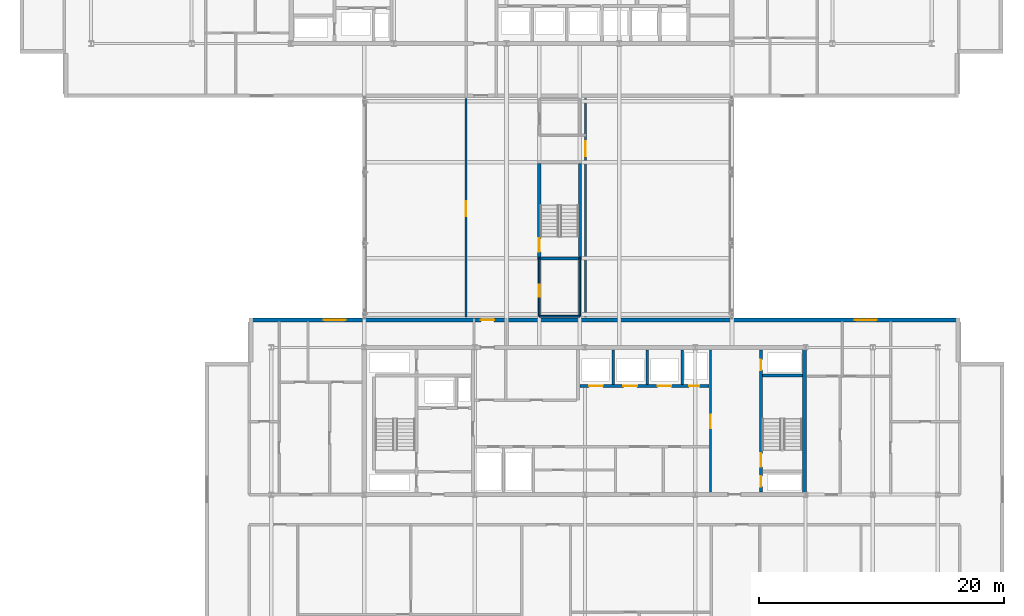
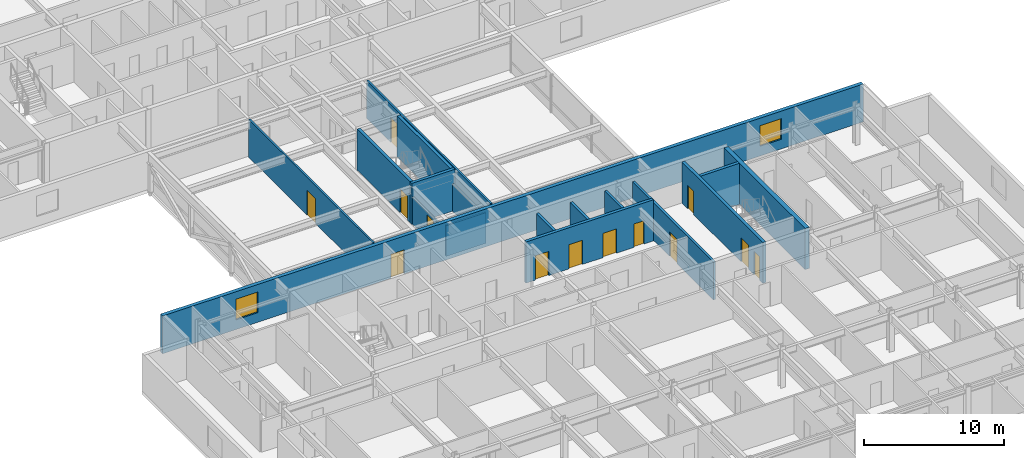
# One storey, part 21 of 36: 17 walls, 13 doors, 2 windows, 15 openings.
"""IFC4 building model written with IfcOpenShell, lengths in metres."""

from ifc_helpers import new_model, si_unit, direction, frame, frame_2d, origin, place, context, subcontext, project, spatial, rectangle, extrude, material, layer, layer_set, type_object, element, fill, save


model = new_model("IFC4")

# Units and contexts
model_context = context("Model", 3, precision=1e-05, world=origin(), true_north=direction((0.0, 1.0)))
body_context = subcontext(model_context, "Body", "Model", "MODEL_VIEW")
ifc_project = project(units=[si_unit("LENGTHUNIT", "METRE"), si_unit("AREAUNIT", "SQUARE_METRE"), si_unit("VOLUMEUNIT", "CUBIC_METRE"), si_unit("PLANEANGLEUNIT", "RADIAN"), si_unit("MASSUNIT", "GRAM", prefix="KILO")], contexts=[model_context])

# Site, building, storey
site_placement = place(None, origin())
site = spatial("IfcSite", under=ifc_project, at=site_placement, CompositionType="ELEMENT")
building_placement = place(site_placement, origin())
building = spatial("IfcBuilding", under=site, at=building_placement, Name="Korimba Cascade Residences", CompositionType="ELEMENT")
storey_placement = place(building_placement, frame((0.0, 0.0, 139.300048828125)))
storey = spatial("IfcBuildingStorey", under=building, at=storey_placement, Name="L40", CompositionType="ELEMENT", Elevation=139.300048828125)

# Wall, openings, door, windows
ifc_material_1 = material(Name="Precast concrete C40/50", Category="concrete")
ifc_layer_1 = layer(ifc_material_1, 0.300048828125)
ifc_layer_set_1 = layer_set([ifc_layer_1], Name="Precast concrete C40/50")
wall_type_1 = type_object("IfcWallType", Name="EW-STONE-300", PredefinedType="STANDARD", material=ifc_layer_set_1)
wall_1_placement = place(storey_placement, frame((130.699951171875, 32.64990234375, 0.0), z_axis=(0.0, 0.0, 1.0), x_axis=(-1.0, 0.0, 0.0)))
wall_1 = element("IfcWall", 1, at=wall_1_placement, inside=storey, type_object=wall_type_1, Name="L40 T2 Perimeter Stone Wall E06", PredefinedType="STANDARD", context=body_context, shape_type="SweptSolid", body=[
    extrude(rectangle(XDim=58.0, YDim=0.300048828125, at=frame_2d((29.0, 0.0))), origin(), (0.0, 0.0, 1.0), 3.31005859375),
])
opening_1_placement = place(wall_1_placement, frame((50.125, 0.0, 0.85009765625)))
opening_1 = element("IfcOpeningElement", 2, at=opening_1_placement, cuts=wall_1, Name="Opening W-02", PredefinedType="OPENING", context=body_context, shape_type="SweptSolid", body=[
    extrude(rectangle(XDim=1.800048828125, YDim=1.800048828125, at=frame_2d((0.89990234375, 0.89990234375))), frame((0.0, 0.16015625, 0.0), z_axis=(0.0, -1.0, 0.0), x_axis=(1.0, 0.0, 0.0)), (0.0, 0.0, 1.0), 0.320068359375),
])
opening_2_placement = place(wall_1_placement, frame((6.77490234375, 0.0, 0.85009765625)))
opening_2 = element("IfcOpeningElement", 3, at=opening_2_placement, cuts=wall_1, Name="Opening W-02", PredefinedType="OPENING", context=body_context, shape_type="SweptSolid", body=[
    extrude(rectangle(XDim=1.800048828125, YDim=1.800048828125, at=frame_2d((0.89990234375, 0.89990234375))), frame((0.0, 0.16015625, 0.0), z_axis=(0.0, -1.0, 0.0), x_axis=(1.0, 0.0, 0.0)), (0.0, 0.0, 1.0), 0.320068359375),
])
opening_3_placement = place(wall_1_placement, frame((38.0, 0.0, 0.0)))
opening_3 = element("IfcOpeningElement", 4, at=opening_3_placement, cuts=wall_1, Name="Opening D-BF1", PredefinedType="OPENING", context=body_context, shape_type="SweptSolid", body=[
    extrude(rectangle(XDim=1.10009765625, YDim=2.10009765625, at=frame_2d((0.550048828125, 1.050048828125))), frame((0.0, 0.16015625, 0.0), z_axis=(0.0, -1.0, 0.0), x_axis=(1.0, 0.0, 0.0)), (0.0, 0.0, 1.0), 0.320068359375),
])
ifc_material_2 = material(Name="Fire-Rated Steel Skybridge Link Door", Category="steel")
door_type_1 = type_object("IfcDoorType", Name="DR-BRG-FD120", OperationType="NOTDEFINED", PredefinedType="DOOR", material=ifc_material_2)
door_1_placement = place(opening_3_placement, origin())
door_1 = element("IfcDoor", 5, at=door_1_placement, inside=storey, type_object=door_type_1, Name="L40 Skybridge to Tower 2 Fire Door", OperationType="SINGLE_SWING_RIGHT", OverallHeight=2.10009765625, OverallWidth=1.10009765625, PredefinedType="DOOR", context=body_context, shape_type="SweptSolid", body=[
    extrude(rectangle(XDim=1.10009765625, YDim=2.10009765625, at=frame_2d((0.550048828125, 1.050048828125))), frame((0.0, 0.02490234375, 0.0), z_axis=(0.0, -1.0, 0.0), x_axis=(1.0, 0.0, 0.0)), (0.0, 0.0, 1.0), 0.050048828125),
])
fill(opening_3, door_1)
ifc_material_3 = material(Name="Double-Glazed Aluminium Window", Category="aluminium")
window_type = type_object("IfcWindowType", Name="WIN-BED-1800", PartitioningType="SINGLE_PANEL", PredefinedType="WINDOW", material=ifc_material_3)
window_1_placement = place(opening_1_placement, origin())
window_1 = element("IfcWindow", 6, at=window_1_placement, inside=storey, type_object=window_type, Name="L40 T2 North Corner Bedroom Window 1", OverallHeight=1.800048828125, OverallWidth=1.800048828125, PartitioningType="SINGLE_PANEL", PredefinedType="WINDOW", context=body_context, shape_type="SweptSolid", body=[
    extrude(rectangle(XDim=1.800048828125, YDim=1.800048828125, at=frame_2d((0.89990234375, 0.89990234375))), frame((0.0, 0.030029296875, 0.0), z_axis=(0.0, -1.0, 0.0), x_axis=(1.0, 0.0, 0.0)), (0.0, 0.0, 1.0), 0.06005859375),
])
fill(opening_1, window_1)
window_2_placement = place(opening_2_placement, origin())
window_2 = element("IfcWindow", 7, at=window_2_placement, inside=storey, type_object=window_type, Name="L40 T2 North Corner Bedroom Window 2", OverallHeight=1.800048828125, OverallWidth=1.800048828125, PartitioningType="SINGLE_PANEL", PredefinedType="WINDOW", context=body_context, shape_type="SweptSolid", body=[
    extrude(rectangle(XDim=1.800048828125, YDim=1.800048828125, at=frame_2d((0.89990234375, 0.89990234375))), frame((0.0, 0.030029296875, 0.0), z_axis=(0.0, -1.0, 0.0), x_axis=(1.0, 0.0, 0.0)), (0.0, 0.0, 1.0), 0.06005859375),
])
fill(opening_2, window_2)

# Walls
ifc_material_4 = material(Name="Concrete C65/80", Category="concrete")
ifc_layer_2 = layer(ifc_material_4, 0.35009765625)
ifc_layer_set_2 = layer_set([ifc_layer_2], Name="Concrete C65/80")
wall_type_2 = type_object("IfcWallType", Name="WAL-CORE-350", PredefinedType="SHEAR", material=ifc_layer_set_2)
wall_2_placement = place(storey_placement, frame((118.014892578125, 18.574951171875, 0.0), z_axis=(0.0, 0.0, 1.0), x_axis=(0.0, 1.0, 0.0)))
element("IfcWall", 8, at=wall_2_placement, inside=storey, type_object=wall_type_2, Name="L40 Core Shear Wall CW-L40-T2-E", PredefinedType="SHEAR", context=body_context, shape_type="SweptSolid", body=[
    extrude(rectangle(XDim=11.650146484375, YDim=0.35009765625, at=frame_2d((5.8251953125, 0.0))), origin(), (0.0, 0.0, 1.0), 3.599853515625),
])
ifc_material_5 = material(Name="Insulated Acoustic Stud Partition", Category="gypsum")
ifc_layer_3 = layer(ifc_material_5, 0.14990234375)
ifc_layer_set_3 = layer_set([ifc_layer_3], Name="Insulated Acoustic Stud Partition")
wall_type_3 = type_object("IfcWallType", Name="WAL-PART-150", PredefinedType="PARTITIONING", material=ifc_layer_set_3)
wall_3_placement = place(storey_placement, frame((96.375, 32.949951171875, 0.0), z_axis=(0.0, 0.0, 1.0), x_axis=(1.0, 0.0, 0.0)))
element("IfcWall", 9, at=wall_3_placement, inside=storey, type_object=wall_type_3, Name="L40 Partition Wall WAL-L40-BRG-WCS1", PredefinedType="PARTITIONING", context=body_context, shape_type="SweptSolid", body=[
    extrude(rectangle(XDim=3.31005859375, YDim=0.14990234375, at=frame_2d((1.655029296875, 0.0))), origin(), (0.0, 0.0, 1.0), 2.689697265625),
])

# Wall, opening, door
wall_4_placement = place(storey_placement, frame((96.375, 32.949951171875, 0.0), z_axis=(0.0, 0.0, 1.0), x_axis=(0.0, 1.0, 0.0)))
wall_4 = element("IfcWall", 10, at=wall_4_placement, inside=storey, type_object=wall_type_3, Name="L40 Partition Wall WAL-L40-BRG-WCW1", PredefinedType="PARTITIONING", context=body_context, shape_type="SweptSolid", body=[
    extrude(rectangle(XDim=4.72509765625, YDim=0.14990234375, at=frame_2d((2.362548828125, 0.0))), origin(), (0.0, 0.0, 1.0), 2.38330078125),
])
opening_4_placement = place(wall_4_placement, frame((1.60009765625, 0.0, 0.0)))
opening_4 = element("IfcOpeningElement", 11, at=opening_4_placement, cuts=wall_4, Name="Opening D-AC1", PredefinedType="OPENING", context=body_context, shape_type="SweptSolid", body=[
    extrude(rectangle(XDim=0.9599609375, YDim=2.10009765625, at=frame_2d((0.47998046875, 1.050048828125))), frame((0.0, 0.0849609375, 0.0), z_axis=(0.0, -1.0, 0.0), x_axis=(1.0, 0.0, 0.0)), (0.0, 0.0, 1.0), 0.169921875),
])
ifc_material_6 = material(Name="Accessible Acoustic Timber WC Door", Category="wood")
door_type_2 = type_object("IfcDoorType", Name="DR-ACC-950", OperationType="NOTDEFINED", PredefinedType="DOOR", material=ifc_material_6)
door_2_placement = place(opening_4_placement, origin())
door_2 = element("IfcDoor", 12, at=door_2_placement, inside=storey, type_object=door_type_2, Name="L40 Skybridge Accessible WC Door", OperationType="SINGLE_SWING_LEFT", OverallHeight=2.10009765625, OverallWidth=0.9599609375, PredefinedType="DOOR", context=body_context, shape_type="SweptSolid", body=[
    extrude(rectangle(XDim=0.9599609375, YDim=2.10009765625, at=frame_2d((0.47998046875, 1.050048828125))), frame((0.0, 0.02490234375, 0.0), z_axis=(0.0, -1.0, 0.0), x_axis=(1.0, 0.0, 0.0)), (0.0, 0.0, 1.0), 0.050048828125),
])
fill(opening_4, door_2)

# Wall
wall_5_placement = place(storey_placement, frame((99.68505859375, 32.949951171875, 0.0), z_axis=(0.0, 0.0, 1.0), x_axis=(0.0, 1.0, 0.0)))
element("IfcWall", 13, at=wall_5_placement, inside=storey, type_object=wall_type_3, Name="L40 Partition Wall WAL-L40-BRG-EE1", PredefinedType="PARTITIONING", context=body_context, shape_type="SweptSolid", body=[
    extrude(rectangle(XDim=4.72509765625, YDim=0.14990234375, at=frame_2d((2.362548828125, 0.0))), origin(), (0.0, 0.0, 1.0), 2.38330078125),
])

# Wall, opening, door
wall_6_placement = place(storey_placement, frame((90.39990234375, 32.89990234375, 0.0), z_axis=(0.0, 0.0, 1.0), x_axis=(0.0, 1.0, 0.0)))
wall_6 = element("IfcWall", 14, at=wall_6_placement, inside=storey, type_object=wall_type_3, Name="L40 Partition Wall WAL-L40-BRG-CORW", PredefinedType="PARTITIONING", context=body_context, shape_type="SweptSolid", body=[
    extrude(rectangle(XDim=17.800048828125, YDim=0.14990234375, at=frame_2d((8.89990234375, 0.0))), origin(), (0.0, 0.0, 1.0), 3.31005859375),
])
opening_5_placement = place(wall_6_placement, frame((8.199951171875, 0.0, 0.0)))
opening_5 = element("IfcOpeningElement", 15, at=opening_5_placement, cuts=wall_6, Name="Opening D-AM1", PredefinedType="OPENING", context=body_context, shape_type="SweptSolid", body=[
    extrude(rectangle(XDim=1.219970703125, YDim=2.179931640625, at=frame_2d((0.60986328125, 1.08984375))), frame((0.0, 0.0849609375, 0.0), z_axis=(0.0, -1.0, 0.0), x_axis=(1.0, 0.0, 0.0)), (0.0, 0.0, 1.0), 0.169921875),
])
ifc_material_7 = material(Name="Fire-Rated Glazed Timber Suite Door", Category="wood")
door_type_3 = type_object("IfcDoorType", Name="DR-FD60-1200", OperationType="NOTDEFINED", PredefinedType="DOOR", material=ifc_material_7)
door_3_placement = place(opening_5_placement, origin())
door_3 = element("IfcDoor", 16, at=door_3_placement, inside=storey, type_object=door_type_3, Name="L40 Skybridge West Wing Door", OperationType="SINGLE_SWING_LEFT", OverallHeight=2.179931640625, OverallWidth=1.219970703125, PredefinedType="DOOR", context=body_context, shape_type="SweptSolid", body=[
    extrude(rectangle(XDim=1.219970703125, YDim=2.179931640625, at=frame_2d((0.60986328125, 1.08984375))), frame((0.0, 0.02490234375, 0.0), z_axis=(0.0, -1.0, 0.0), x_axis=(1.0, 0.0, 0.0)), (0.0, 0.0, 1.0), 0.050048828125),
])
fill(opening_5, door_3)

wall_7_placement = place(storey_placement, frame((100.14990234375, 32.89990234375, 0.0), z_axis=(0.0, 0.0, 1.0), x_axis=(0.0, 1.0, 0.0)))
wall_7 = element("IfcWall", 17, at=wall_7_placement, inside=storey, type_object=wall_type_3, Name="L40 Partition Wall WAL-L40-BRG-EE2", PredefinedType="PARTITIONING", context=body_context, shape_type="SweptSolid", body=[
    extrude(rectangle(XDim=17.800048828125, YDim=0.14990234375, at=frame_2d((8.89990234375, 0.0))), origin(), (0.0, 0.0, 1.0), 3.31005859375),
])
opening_6_placement = place(wall_7_placement, frame((13.10009765625, 0.0, 0.0)))
opening_6 = element("IfcOpeningElement", 18, at=opening_6_placement, cuts=wall_7, Name="Opening D-AM1", PredefinedType="OPENING", context=body_context, shape_type="SweptSolid", body=[
    extrude(rectangle(XDim=1.219970703125, YDim=2.179931640625, at=frame_2d((0.60986328125, 1.08984375))), frame((0.0, 0.0849609375, 0.0), z_axis=(0.0, -1.0, 0.0), x_axis=(1.0, 0.0, 0.0)), (0.0, 0.0, 1.0), 0.169921875),
])
door_4_placement = place(opening_6_placement, origin())
door_4 = element("IfcDoor", 19, at=door_4_placement, inside=storey, type_object=door_type_3, Name="L40 Skybridge East Club Door", OperationType="SINGLE_SWING_RIGHT", OverallHeight=2.179931640625, OverallWidth=1.219970703125, PredefinedType="DOOR", context=body_context, shape_type="SweptSolid", body=[
    extrude(rectangle(XDim=1.219970703125, YDim=2.179931640625, at=frame_2d((0.60986328125, 1.08984375))), frame((0.0, 0.02490234375, 0.0), z_axis=(0.0, -1.0, 0.0), x_axis=(1.0, 0.0, 0.0)), (0.0, 0.0, 1.0), 0.050048828125),
])
fill(opening_6, door_4)

# Walls
ifc_material_8 = material(Name="Concrete C40/50", Category="concrete")
ifc_layer_4 = layer(ifc_material_8, 0.199951171875)
ifc_layer_set_4 = layer_set([ifc_layer_4], Name="Concrete C40/50")
wall_type_4 = type_object("IfcWallType", Name="WAL-PART-200", PredefinedType="PARTITIONING", material=ifc_layer_set_4)
for number, where, z_axis, x_axis, name in (
    (20, (102.39990234375, 27.3798828125, 0.0), (0.0, 0.0, 1.0), (0.0, 1.0, 0.0), "L40 Partition Wall CW-L40-T2-B2D1"),
    (21, (105.199951171875, 27.3798828125, 0.0), (0.0, 0.0, 1.0), (0.0, 1.0, 0.0), "L40 Partition Wall CW-L40-T2-B2D2"),
    (22, (108.050048828125, 27.3798828125, 0.0), (0.0, 0.0, 1.0), (0.0, 1.0, 0.0), "L40 Partition Wall CW-L40-T2-B2D3"),
):
    element("IfcWall", number, at=place(storey_placement, frame(where, z_axis=z_axis, x_axis=x_axis)), inside=storey, type_object=wall_type_4, Name=name, PredefinedType="PARTITIONING", context=body_context, shape_type="SweptSolid", body=[
        extrude(rectangle(XDim=2.820068359375, YDim=0.199951171875, at=frame_2d((1.41015625, 0.0))), origin(), (0.0, 0.0, 1.0), 3.31005859375),
    ])

# Wall, opening, door
wall_8_placement = place(storey_placement, frame((110.35009765625, 18.60009765625, 0.0), z_axis=(0.0, 0.0, 1.0), x_axis=(0.0, 1.0, 0.0)))
wall_8 = element("IfcWall", 23, at=wall_8_placement, inside=storey, type_object=wall_type_4, Name="L40 Partition Wall CW-L40-T2-LLEV", PredefinedType="PARTITIONING", context=body_context, shape_type="SweptSolid", body=[
    extrude(rectangle(XDim=11.599853515625, YDim=0.199951171875, at=frame_2d((5.7998046875, 0.0))), origin(), (0.0, 0.0, 1.0), 3.31005859375),
])
opening_7_placement = place(wall_8_placement, frame((5.199951171875, 0.0, 0.0)))
opening_7 = element("IfcOpeningElement", 24, at=opening_7_placement, cuts=wall_8, Name="Opening D-FD6", PredefinedType="OPENING", context=body_context, shape_type="SweptSolid", body=[
    extrude(rectangle(XDim=1.10009765625, YDim=2.14990234375, at=frame_2d((0.550048828125, 1.074951171875))), frame((0.0, 0.10986328125, 0.0), z_axis=(0.0, -1.0, 0.0), x_axis=(1.0, 0.0, 0.0)), (0.0, 0.0, 1.0), 0.219970703125),
])
ifc_material_9 = material(Name="Fire-Rated Timber Stair Lobby Door", Category="wood")
door_type_4 = type_object("IfcDoorType", Name="DR-FD90-1100", OperationType="NOTDEFINED", PredefinedType="DOOR", material=ifc_material_9)
door_5_placement = place(opening_7_placement, origin())
door_5 = element("IfcDoor", 25, at=door_5_placement, inside=storey, type_object=door_type_4, Name="L40 T2 Lift Lobby to East Stair Lobby Door", OperationType="SINGLE_SWING_RIGHT", OverallHeight=2.14990234375, OverallWidth=1.10009765625, PredefinedType="DOOR", context=body_context, shape_type="SweptSolid", body=[
    extrude(rectangle(XDim=1.10009765625, YDim=2.14990234375, at=frame_2d((0.550048828125, 1.074951171875))), frame((0.0, 0.02490234375, 0.0), z_axis=(0.0, -1.0, 0.0), x_axis=(1.0, 0.0, 0.0)), (0.0, 0.0, 1.0), 0.050048828125),
])
fill(opening_7, door_5)

# Wall, openings, doors
ifc_material_10 = material(Name="Concrete C50/60", Category="concrete")
ifc_layer_5 = layer(ifc_material_10, 0.25)
ifc_layer_set_5 = layer_set([ifc_layer_5], Name="Concrete C50/60")
wall_type_5 = type_object("IfcWallType", Name="WAL-SHAFT-250", PredefinedType="SHEAR", material=ifc_layer_set_5)
wall_9_placement = place(storey_placement, frame((99.679931640625, 27.25, 0.0), z_axis=(0.0, 0.0, 1.0), x_axis=(1.0, 0.0, 0.0)))
wall_9 = element("IfcWall", 26, at=wall_9_placement, inside=storey, type_object=wall_type_5, Name="L40 Core Shear Wall CW-L40-T2-B2S", PredefinedType="SHEAR", context=body_context, shape_type="SweptSolid", body=[
    extrude(rectangle(XDim=10.5400390625, YDim=0.25, at=frame_2d((5.27001953125, 0.0))), origin(), (0.0, 0.0, 1.0), 3.599853515625),
])
opening_8_placement = place(wall_9_placement, frame((0.760009765625, 0.0, 0.0)))
opening_8 = element("IfcOpeningElement", 27, at=opening_8_placement, cuts=wall_9, Name="Opening LD-01", PredefinedType="OPENING", context=body_context, shape_type="SweptSolid", body=[
    extrude(rectangle(XDim=1.1201171875, YDim=2.1201171875, at=frame_2d((0.56005859375, 1.06005859375))), frame((0.0, 0.135009765625, 0.0), z_axis=(0.0, -1.0, 0.0), x_axis=(1.0, 0.0, 0.0)), (0.0, 0.0, 1.0), 0.27001953125),
])
opening_9_placement = place(wall_9_placement, frame((3.56005859375, 0.0, 0.0)))
opening_9 = element("IfcOpeningElement", 28, at=opening_9_placement, cuts=wall_9, Name="Opening LD-01", PredefinedType="OPENING", context=body_context, shape_type="SweptSolid", body=[
    extrude(rectangle(XDim=1.1201171875, YDim=2.1201171875, at=frame_2d((0.56005859375, 1.06005859375))), frame((0.0, 0.135009765625, 0.0), z_axis=(0.0, -1.0, 0.0), x_axis=(1.0, 0.0, 0.0)), (0.0, 0.0, 1.0), 0.27001953125),
])
opening_10_placement = place(wall_9_placement, frame((6.360107421875, 0.0, 0.0)))
opening_10 = element("IfcOpeningElement", 29, at=opening_10_placement, cuts=wall_9, Name="Opening LD-01", PredefinedType="OPENING", context=body_context, shape_type="SweptSolid", body=[
    extrude(rectangle(XDim=1.1201171875, YDim=2.1201171875, at=frame_2d((0.56005859375, 1.06005859375))), frame((0.0, 0.135009765625, 0.0), z_axis=(0.0, -1.0, 0.0), x_axis=(1.0, 0.0, 0.0)), (0.0, 0.0, 1.0), 0.27001953125),
])
opening_11_placement = place(wall_9_placement, frame((8.919921875, 0.0, 0.0)))
opening_11 = element("IfcOpeningElement", 30, at=opening_11_placement, cuts=wall_9, Name="Opening D-RS1", PredefinedType="OPENING", context=body_context, shape_type="SweptSolid", body=[
    extrude(rectangle(XDim=0.85009765625, YDim=2.050048828125, at=frame_2d((0.425048828125, 1.02490234375))), frame((0.0, 0.135009765625, 0.0), z_axis=(0.0, -1.0, 0.0), x_axis=(1.0, 0.0, 0.0)), (0.0, 0.0, 1.0), 0.27001953125),
])
ifc_material_11 = material(Name="Fire-Rated Steel Riser Access Door", Category="steel")
door_type_5 = type_object("IfcDoorType", Name="DR-FD60-850", OperationType="NOTDEFINED", PredefinedType="DOOR", material=ifc_material_11)
door_6_placement = place(opening_11_placement, origin())
door_6 = element("IfcDoor", 31, at=door_6_placement, inside=storey, type_object=door_type_5, Name="L40 T2 Duct Door", OperationType="SINGLE_SWING_RIGHT", OverallHeight=2.050048828125, OverallWidth=0.85009765625, PredefinedType="DOOR", context=body_context, shape_type="SweptSolid", body=[
    extrude(rectangle(XDim=0.85009765625, YDim=2.050048828125, at=frame_2d((0.425048828125, 1.02490234375))), frame((0.0, 0.02490234375, 0.0), z_axis=(0.0, -1.0, 0.0), x_axis=(1.0, 0.0, 0.0)), (0.0, 0.0, 1.0), 0.050048828125),
])
fill(opening_11, door_6)
ifc_material_12 = material(Name="Stainless Steel Lift Landing Sliding Door", Category="steel")
door_type_6 = type_object("IfcDoorType", Name="DR-LIFT-1100", OperationType="NOTDEFINED", PredefinedType="DOOR", material=ifc_material_12)
door_7_placement = place(opening_8_placement, origin())
door_7 = element("IfcDoor", 32, at=door_7_placement, inside=storey, type_object=door_type_6, Name="L40 Lift Landing Door PL-E4", OperationType="SLIDING_TO_RIGHT", OverallHeight=2.1201171875, OverallWidth=1.1201171875, PredefinedType="DOOR", context=body_context, shape_type="SweptSolid", body=[
    extrude(rectangle(XDim=1.1201171875, YDim=2.1201171875, at=frame_2d((0.56005859375, 1.06005859375))), frame((0.0, 0.02490234375, 0.0), z_axis=(0.0, -1.0, 0.0), x_axis=(1.0, 0.0, 0.0)), (0.0, 0.0, 1.0), 0.050048828125),
])
fill(opening_8, door_7)
door_8_placement = place(opening_9_placement, origin())
door_8 = element("IfcDoor", 33, at=door_8_placement, inside=storey, type_object=door_type_6, Name="L40 Lift Landing Door PL-E5", OperationType="SLIDING_TO_RIGHT", OverallHeight=2.1201171875, OverallWidth=1.1201171875, PredefinedType="DOOR", context=body_context, shape_type="SweptSolid", body=[
    extrude(rectangle(XDim=1.1201171875, YDim=2.1201171875, at=frame_2d((0.56005859375, 1.06005859375))), frame((0.0, 0.02490234375, 0.0), z_axis=(0.0, -1.0, 0.0), x_axis=(1.0, 0.0, 0.0)), (0.0, 0.0, 1.0), 0.050048828125),
])
fill(opening_9, door_8)
door_9_placement = place(opening_10_placement, origin())
door_9 = element("IfcDoor", 34, at=door_9_placement, inside=storey, type_object=door_type_6, Name="L40 Lift Landing Door PL-E6", OperationType="SLIDING_TO_RIGHT", OverallHeight=2.1201171875, OverallWidth=1.1201171875, PredefinedType="DOOR", context=body_context, shape_type="SweptSolid", body=[
    extrude(rectangle(XDim=1.1201171875, YDim=2.1201171875, at=frame_2d((0.56005859375, 1.06005859375))), frame((0.0, 0.02490234375, 0.0), z_axis=(0.0, -1.0, 0.0), x_axis=(1.0, 0.0, 0.0)), (0.0, 0.0, 1.0), 0.050048828125),
])
fill(opening_10, door_9)

wall_10_placement = place(storey_placement, frame((114.47509765625, 18.60009765625, 0.0), z_axis=(0.0, 0.0, 1.0), x_axis=(0.0, 1.0, 0.0)))
wall_10 = element("IfcWall", 35, at=wall_10_placement, inside=storey, type_object=wall_type_5, Name="L40 Core Shear Wall CW-L40-T2-STE2W", PredefinedType="SHEAR", context=body_context, shape_type="SweptSolid", body=[
    extrude(rectangle(XDim=11.599853515625, YDim=0.25, at=frame_2d((5.7998046875, 0.0))), origin(), (0.0, 0.0, 1.0), 3.599853515625),
])
opening_12_placement = place(wall_10_placement, frame((0.449951171875, 0.0, 0.0)))
opening_12 = element("IfcOpeningElement", 36, at=opening_12_placement, cuts=wall_10, Name="Opening D-RS1", PredefinedType="OPENING", context=body_context, shape_type="SweptSolid", body=[
    extrude(rectangle(XDim=0.85009765625, YDim=2.050048828125, at=frame_2d((0.425048828125, 1.02490234375))), frame((0.0, 0.135009765625, 0.0), z_axis=(0.0, -1.0, 0.0), x_axis=(1.0, 0.0, 0.0)), (0.0, 0.0, 1.0), 0.27001953125),
])
opening_13_placement = place(wall_10_placement, frame((2.050048828125, 0.0, 0.0)))
opening_13 = element("IfcOpeningElement", 37, at=opening_13_placement, cuts=wall_10, Name="Opening D-FD1", PredefinedType="OPENING", context=body_context, shape_type="SweptSolid", body=[
    extrude(rectangle(XDim=1.10009765625, YDim=2.10009765625, at=frame_2d((0.550048828125, 1.050048828125))), frame((0.0, 0.135009765625, 0.0), z_axis=(0.0, -1.0, 0.0), x_axis=(1.0, 0.0, 0.0)), (0.0, 0.0, 1.0), 0.27001953125),
])
opening_14_placement = place(wall_10_placement, frame((9.949951171875, 0.0, 0.0)))
opening_14 = element("IfcOpeningElement", 38, at=opening_14_placement, cuts=wall_10, Name="Opening D-RS1", PredefinedType="OPENING", context=body_context, shape_type="SweptSolid", body=[
    extrude(rectangle(XDim=0.85009765625, YDim=2.050048828125, at=frame_2d((0.425048828125, 1.02490234375))), frame((0.0, 0.135009765625, 0.0), z_axis=(0.0, -1.0, 0.0), x_axis=(1.0, 0.0, 0.0)), (0.0, 0.0, 1.0), 0.27001953125),
])
ifc_material_13 = material(Name="Fire-Rated Steel Core Door", Category="steel")
door_type_7 = type_object("IfcDoorType", Name="DR-FD120-1100", OperationType="NOTDEFINED", PredefinedType="DOOR", material=ifc_material_13)
door_10_placement = place(opening_13_placement, origin())
door_10 = element("IfcDoor", 39, at=door_10_placement, inside=storey, type_object=door_type_7, Name="L40 Fire Stair ST-E2 Door", OperationType="SINGLE_SWING_RIGHT", OverallHeight=2.10009765625, OverallWidth=1.10009765625, PredefinedType="DOOR", context=body_context, shape_type="SweptSolid", body=[
    extrude(rectangle(XDim=1.10009765625, YDim=2.10009765625, at=frame_2d((0.550048828125, 1.050048828125))), frame((0.0, 0.02490234375, 0.0), z_axis=(0.0, -1.0, 0.0), x_axis=(1.0, 0.0, 0.0)), (0.0, 0.0, 1.0), 0.050048828125),
])
fill(opening_13, door_10)
door_11_placement = place(opening_12_placement, origin())
door_11 = element("IfcDoor", 40, at=door_11_placement, inside=storey, type_object=door_type_5, Name="L40 T2 East Hydrant Door", OperationType="SINGLE_SWING_LEFT", OverallHeight=2.050048828125, OverallWidth=0.85009765625, PredefinedType="DOOR", context=body_context, shape_type="SweptSolid", body=[
    extrude(rectangle(XDim=0.85009765625, YDim=2.050048828125, at=frame_2d((0.425048828125, 1.02490234375))), frame((0.0, 0.02490234375, 0.0), z_axis=(0.0, -1.0, 0.0), x_axis=(1.0, 0.0, 0.0)), (0.0, 0.0, 1.0), 0.050048828125),
])
fill(opening_12, door_11)
door_12_placement = place(opening_14_placement, origin())
door_12 = element("IfcDoor", 41, at=door_12_placement, inside=storey, type_object=door_type_5, Name="L40 T2 East Riser Door", OperationType="SINGLE_SWING_LEFT", OverallHeight=2.050048828125, OverallWidth=0.85009765625, PredefinedType="DOOR", context=body_context, shape_type="SweptSolid", body=[
    extrude(rectangle(XDim=0.85009765625, YDim=2.050048828125, at=frame_2d((0.425048828125, 1.02490234375))), frame((0.0, 0.02490234375, 0.0), z_axis=(0.0, -1.0, 0.0), x_axis=(1.0, 0.0, 0.0)), (0.0, 0.0, 1.0), 0.050048828125),
])
fill(opening_14, door_12)

# Wall
wall_11_placement = place(storey_placement, frame((114.60009765625, 28.125, 0.0), z_axis=(0.0, 0.0, 1.0), x_axis=(1.0, 0.0, 0.0)))
element("IfcWall", 42, at=wall_11_placement, inside=storey, type_object=wall_type_5, Name="L40 Core Shear Wall CW-L40-T2-STE2N", PredefinedType="SHEAR", context=body_context, shape_type="SweptSolid", body=[
    extrude(rectangle(XDim=3.239990234375, YDim=0.25, at=frame_2d((1.6201171875, 0.0))), origin(), (0.0, 0.0, 1.0), 3.599853515625),
])

# Wall, opening, door
wall_12_placement = place(storey_placement, frame((96.375, 37.800048828125, 0.0), z_axis=(0.0, 0.0, 1.0), x_axis=(0.0, 1.0, 0.0)))
wall_12 = element("IfcWall", 43, at=wall_12_placement, inside=storey, type_object=wall_type_5, Name="L40 Core Shear Wall CW-L40-STBR1W", PredefinedType="SHEAR", context=body_context, shape_type="SweptSolid", body=[
    extrude(rectangle(XDim=7.599853515625, YDim=0.25, at=frame_2d((3.7998046875, 0.0))), origin(), (0.0, 0.0, 1.0), 3.599853515625),
])
opening_15_placement = place(wall_12_placement, frame((0.39990234375, 0.0, 0.0)))
opening_15 = element("IfcOpeningElement", 44, at=opening_15_placement, cuts=wall_12, Name="Opening D-FD1", PredefinedType="OPENING", context=body_context, shape_type="SweptSolid", body=[
    extrude(rectangle(XDim=1.10009765625, YDim=2.10009765625, at=frame_2d((0.550048828125, 1.050048828125))), frame((0.0, 0.135009765625, 0.0), z_axis=(0.0, -1.0, 0.0), x_axis=(1.0, 0.0, 0.0)), (0.0, 0.0, 1.0), 0.27001953125),
])
door_13_placement = place(opening_15_placement, origin())
door_13 = element("IfcDoor", 45, at=door_13_placement, inside=storey, type_object=door_type_7, Name="L40 Skybridge Stair Door", OperationType="SINGLE_SWING_RIGHT", OverallHeight=2.10009765625, OverallWidth=1.10009765625, PredefinedType="DOOR", context=body_context, shape_type="SweptSolid", body=[
    extrude(rectangle(XDim=1.10009765625, YDim=2.10009765625, at=frame_2d((0.550048828125, 1.050048828125))), frame((0.0, 0.02490234375, 0.0), z_axis=(0.0, -1.0, 0.0), x_axis=(1.0, 0.0, 0.0)), (0.0, 0.0, 1.0), 0.050048828125),
])
fill(opening_15, door_13)

# Walls
wall_13_placement = place(storey_placement, frame((99.68505859375, 37.800048828125, 0.0), z_axis=(0.0, 0.0, 1.0), x_axis=(0.0, 1.0, 0.0)))
element("IfcWall", 46, at=wall_13_placement, inside=storey, type_object=wall_type_5, Name="L40 Core Shear Wall CW-L40-STBR1E", PredefinedType="SHEAR", context=body_context, shape_type="SweptSolid", body=[
    extrude(rectangle(XDim=7.599853515625, YDim=0.25, at=frame_2d((3.7998046875, 0.0))), origin(), (0.0, 0.0, 1.0), 3.599853515625),
])
wall_14_placement = place(storey_placement, frame((96.25, 37.675048828125, 0.0), z_axis=(0.0, 0.0, 1.0), x_axis=(1.0, 0.0, 0.0)))
element("IfcWall", 47, at=wall_14_placement, inside=storey, type_object=wall_type_5, Name="L40 Core Shear Wall CW-L40-STBR1S", PredefinedType="SHEAR", context=body_context, shape_type="SweptSolid", body=[
    extrude(rectangle(XDim=3.56005859375, YDim=0.25, at=frame_2d((1.780029296875, 0.0))), origin(), (0.0, 0.0, 1.0), 3.599853515625),
])

save(model, "model.ifc")
